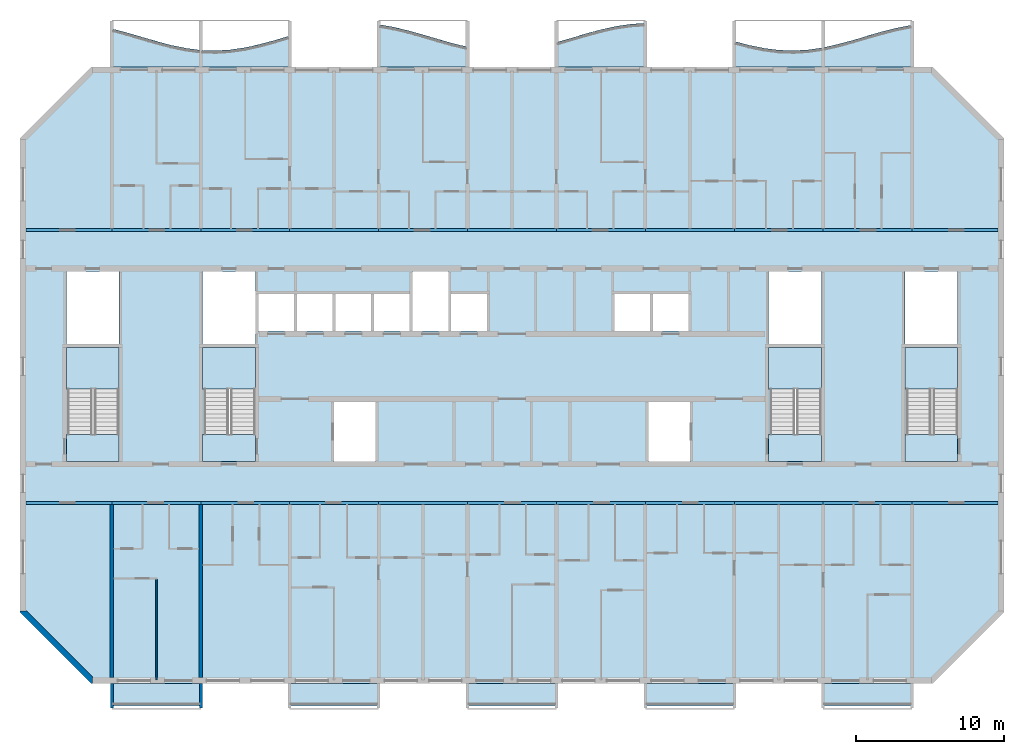
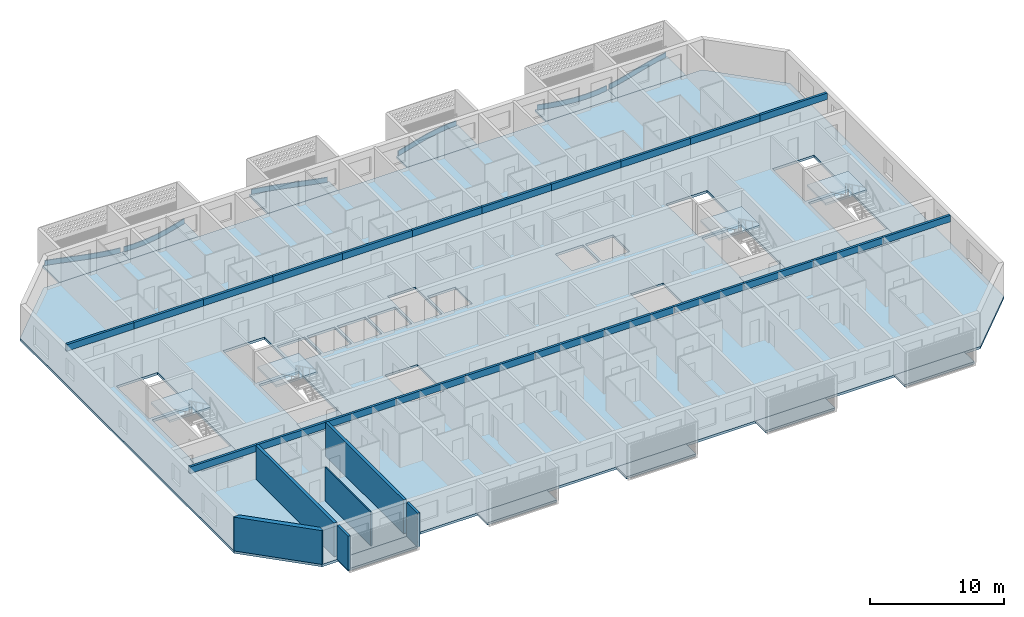
# One storey, part 1 of 27: 22 beams, 20 slabs, 6 plates, 6 walls, 4 elements without a shape of their own.
"""IFC4 building model written with IfcOpenShell, lengths in metres."""

from ifc_helpers import new_model, si_unit, direction, frame, frame_2d, origin, origin_2d, place, context, subcontext, project, spatial, polyline, rectangle, outline, extrude, source, transform, mapped, material, layer, layer_set, material_profile, profile_set, type_object, element, aggregate, save


model = new_model("IFC4")

# Units and contexts
model_context = context("Model", 3, precision=1e-05, world=origin(), true_north=direction((0.0, 1.0)))
body_context = subcontext(model_context, "Body", "Model", "MODEL_VIEW")
ifc_project = project(units=[si_unit("LENGTHUNIT", "METRE"), si_unit("AREAUNIT", "SQUARE_METRE"), si_unit("VOLUMEUNIT", "CUBIC_METRE"), si_unit("PLANEANGLEUNIT", "RADIAN"), si_unit("MASSUNIT", "GRAM", prefix="KILO")], contexts=[model_context])

# Site, building, storey
site_placement = place(None, origin())
site = spatial("IfcSite", under=ifc_project, at=site_placement, CompositionType="ELEMENT")
building_placement = place(site_placement, origin())
building = spatial("IfcBuilding", under=site, at=building_placement, Name="Poui Terraces", CompositionType="ELEMENT")
storey_placement = place(building_placement, frame((0.0, 0.0, 191.699951171875)))
storey = spatial("IfcBuildingStorey", under=building, at=storey_placement, Name="L53", CompositionType="ELEMENT", Elevation=191.699951171875)

# Beams
ifc_material_1 = material(Name="Concrete 50 MPa", Category="concrete")
ifc_material_profile = material_profile(ifc_material_1, rectangle(XDim=0.199951171875, YDim=0.60009765625, at=origin_2d()), Name="RC 200x600")
ifc_profile_set = profile_set([ifc_material_profile], Name="Concrete 50 MPa")
beam_type = type_object("IfcBeamType", Name="COUPLING BEAM 200x600 50MPa", PredefinedType="BEAM", material=ifc_profile_set)
shared_shape_1 = source(origin(), body_context, "Body", "SweptSolid", [
    extrude(rectangle(XDim=0.199951171875, YDim=0.60009765625, at=origin_2d()), origin(), (0.0, 0.0, 1.0), 5.800048828125),
])
for number, where, z_axis, x_axis, name in (
    (1, (18.199951171875, 12.0, 2.780029296875), (1.0, 0.0, 0.0), (0.0, 1.0, 0.0), "COUPLING BEAM LINE B BAY 1"),
    (2, (78.0, 12.0, 2.780029296875), (1.0, 0.0, 0.0), (0.0, 1.0, 0.0), "COUPLING BEAM LINE B BAY 11"),
    (3, (18.199951171875, 30.39990234375, 2.780029296875), (1.0, 0.0, 0.0), (0.0, 1.0, 0.0), "COUPLING BEAM LINE E BAY 1"),
    (4, (78.0, 30.39990234375, 2.780029296875), (1.0, 0.0, 0.0), (0.0, 1.0, 0.0), "COUPLING BEAM LINE E BAY 11"),
):
    element("IfcBeam", number, at=place(storey_placement, frame(where, z_axis=z_axis, x_axis=x_axis)), inside=storey, type_object=beam_type, Name=name, PredefinedType="BEAM", context=body_context, shape_type="MappedRepresentation", body=[
        mapped(shared_shape_1, transform((0.0, 0.0, 0.0))),
    ])
shared_shape_2 = source(origin(), body_context, "Body", "SweptSolid", [
    extrude(rectangle(XDim=0.199951171875, YDim=0.60009765625, at=origin_2d()), origin(), (0.0, 0.0, 1.0), 6.0),
])
for number, where, z_axis, x_axis, name in (
    (5, (24.0, 12.0, 2.780029296875), (1.0, 0.0, 0.0), (0.0, 1.0, 0.0), "COUPLING BEAM LINE B BAY 2"),
    (6, (30.0, 12.0, 2.780029296875), (1.0, 0.0, 0.0), (0.0, 1.0, 0.0), "COUPLING BEAM LINE B BAY 3"),
    (7, (36.0, 12.0, 2.780029296875), (1.0, 0.0, 0.0), (0.0, 1.0, 0.0), "COUPLING BEAM LINE B BAY 4"),
    (8, (42.0, 12.0, 2.780029296875), (1.0, 0.0, 0.0), (0.0, 1.0, 0.0), "COUPLING BEAM LINE B BAY 5"),
    (9, (48.0, 12.0, 2.780029296875), (1.0, 0.0, 0.0), (0.0, 1.0, 0.0), "COUPLING BEAM LINE B BAY 6"),
    (10, (54.0, 12.0, 2.780029296875), (1.0, 0.0, 0.0), (0.0, 1.0, 0.0), "COUPLING BEAM LINE B BAY 7"),
    (11, (60.0, 12.0, 2.780029296875), (1.0, 0.0, 0.0), (0.0, 1.0, 0.0), "COUPLING BEAM LINE B BAY 8"),
    (12, (66.0, 12.0, 2.780029296875), (1.0, 0.0, 0.0), (0.0, 1.0, 0.0), "COUPLING BEAM LINE B BAY 9"),
    (13, (72.0, 12.0, 2.780029296875), (1.0, 0.0, 0.0), (0.0, 1.0, 0.0), "COUPLING BEAM LINE B BAY 10"),
    (14, (24.0, 30.39990234375, 2.780029296875), (1.0, 0.0, 0.0), (0.0, 1.0, 0.0), "COUPLING BEAM LINE E BAY 2"),
    (15, (30.0, 30.39990234375, 2.780029296875), (1.0, 0.0, 0.0), (0.0, 1.0, 0.0), "COUPLING BEAM LINE E BAY 3"),
    (16, (36.0, 30.39990234375, 2.780029296875), (1.0, 0.0, 0.0), (0.0, 1.0, 0.0), "COUPLING BEAM LINE E BAY 4"),
    (17, (42.0, 30.39990234375, 2.780029296875), (1.0, 0.0, 0.0), (0.0, 1.0, 0.0), "COUPLING BEAM LINE E BAY 5"),
    (18, (48.0, 30.39990234375, 2.780029296875), (1.0, 0.0, 0.0), (0.0, 1.0, 0.0), "COUPLING BEAM LINE E BAY 6"),
    (19, (54.0, 30.39990234375, 2.780029296875), (1.0, 0.0, 0.0), (0.0, 1.0, 0.0), "COUPLING BEAM LINE E BAY 7"),
    (20, (60.0, 30.39990234375, 2.780029296875), (1.0, 0.0, 0.0), (0.0, 1.0, 0.0), "COUPLING BEAM LINE E BAY 8"),
    (21, (66.0, 30.39990234375, 2.780029296875), (1.0, 0.0, 0.0), (0.0, 1.0, 0.0), "COUPLING BEAM LINE E BAY 9"),
    (22, (72.0, 30.39990234375, 2.780029296875), (1.0, 0.0, 0.0), (0.0, 1.0, 0.0), "COUPLING BEAM LINE E BAY 10"),
):
    element("IfcBeam", number, at=place(storey_placement, frame(where, z_axis=z_axis, x_axis=x_axis)), inside=storey, type_object=beam_type, Name=name, PredefinedType="BEAM", context=body_context, shape_type="MappedRepresentation", body=[
        mapped(shared_shape_2, transform((0.0, 0.0, 0.0))),
    ])

# Slabs
ifc_material_2 = material(Name="Precast concrete 40 MPa", Category="concrete")
ifc_layer_1 = layer(ifc_material_2, 0.199951171875)
ifc_layer_set_1 = layer_set([ifc_layer_1], Name="Precast concrete 40 MPa")
slab_type_1 = type_object("IfcSlabType", Name="BALCONY SLAB 200", PredefinedType="FLOOR", material=ifc_layer_set_1)
slab_1_placement = place(storey_placement, frame((0.0, 0.0, -0.199951171875)))
element("IfcSlab", 23, at=slab_1_placement, inside=storey, type_object=slab_type_1, Name="BALCONY SLAB", PredefinedType="FLOOR", context=body_context, shape_type="SweptSolid", body=[
    extrude(outline(polyline([(24.0, 41.39990234375), (30.0, 41.39990234375), (30.0, 42.53662109375), (29.0, 42.663818359375), (28.0, 42.869384765625), (27.0, 43.132080078125), (26.0, 43.425048828125), (25.0, 43.718017578125), (24.0, 43.980712890625), (24.0, 41.39990234375)])), origin(), (0.0, 0.0, 1.0), 0.199951171875),
])
slab_2_placement = place(storey_placement, frame((0.0, 0.0, -0.199951171875)))
element("IfcSlab", 24, at=slab_2_placement, inside=storey, type_object=slab_type_1, Name="BALCONY SLAB", PredefinedType="FLOOR", context=body_context, shape_type="SweptSolid", body=[
    extrude(outline(polyline([(30.0, 41.39990234375), (36.0, 41.39990234375), (36.0, 43.49951171875), (35.0, 43.20361328125), (34.0, 42.9306640625), (33.0, 42.70849609375), (32.0, 42.56005859375), (31.0, 42.500732421875), (30.0, 42.53662109375), (30.0, 41.39990234375)])), origin(), (0.0, 0.0, 1.0), 0.199951171875),
])
slab_3_placement = place(storey_placement, frame((0.0, 0.0, -0.199951171875)))
element("IfcSlab", 25, at=slab_3_placement, inside=storey, type_object=slab_type_1, Name="BALCONY SLAB", PredefinedType="FLOOR", context=body_context, shape_type="SweptSolid", body=[
    extrude(outline(polyline([(42.0, 41.39990234375), (48.0, 41.39990234375), (48.0, 42.7578125), (47.0, 42.9951171875), (46.0, 43.276611328125), (45.0, 43.573486328125), (44.0, 43.85498046875), (43.0, 44.092041015625), (42.0, 44.2607421875), (42.0, 41.39990234375)])), origin(), (0.0, 0.0, 1.0), 0.199951171875),
])
slab_4_placement = place(storey_placement, frame((0.0, 0.0, -0.199951171875)))
element("IfcSlab", 26, at=slab_4_placement, inside=storey, type_object=slab_type_1, Name="BALCONY SLAB", PredefinedType="FLOOR", context=body_context, shape_type="SweptSolid", body=[
    extrude(outline(polyline([(54.0, 41.39990234375), (60.0, 41.39990234375), (60.0, 44.34912109375), (59.0, 44.289794921875), (58.0, 44.1416015625), (57.0, 43.91943359375), (56.0, 43.646484375), (55.0, 43.3505859375), (54.0, 43.0625), (54.0, 41.39990234375)])), origin(), (0.0, 0.0, 1.0), 0.199951171875),
])
slab_5_placement = place(storey_placement, frame((0.0, 0.0, -0.199951171875)))
element("IfcSlab", 27, at=slab_5_placement, inside=storey, type_object=slab_type_1, Name="BALCONY SLAB", PredefinedType="FLOOR", context=body_context, shape_type="SweptSolid", body=[
    extrude(outline(polyline([(66.0, 41.39990234375), (72.0, 41.39990234375), (72.0, 42.70849609375), (71.0, 42.56005859375), (70.0, 42.500732421875), (69.0, 42.53662109375), (68.0, 42.663818359375), (67.0, 42.869384765625), (66.0, 43.132080078125), (66.0, 41.39990234375)])), origin(), (0.0, 0.0, 1.0), 0.199951171875),
])
slab_6_placement = place(storey_placement, frame((0.0, 0.0, -0.199951171875)))
element("IfcSlab", 28, at=slab_6_placement, inside=storey, type_object=slab_type_1, Name="BALCONY SLAB", PredefinedType="FLOOR", context=body_context, shape_type="SweptSolid", body=[
    extrude(outline(polyline([(72.0, 41.39990234375), (78.0, 41.39990234375), (78.0, 44.22607421875), (77.0, 44.038330078125), (76.0, 43.78759765625), (75.0, 43.49951171875), (74.0, 43.20361328125), (73.0, 42.9306640625), (72.0, 42.70849609375), (72.0, 41.39990234375)])), origin(), (0.0, 0.0, 1.0), 0.199951171875),
])

# Stair, slabs
stair_type = type_object("IfcStairType", Name="EXIT STAIR 1650 50 MPA", PredefinedType="HALF_TURN_STAIR", material=ifc_material_1)
stair_1_placement = place(storey_placement, origin())
stair_1 = element("IfcStair", 29, at=stair_1_placement, inside=storey, type_object=stair_type, Name="L53 CORE STAIR EAST", PredefinedType="HALF_TURN_STAIR")
ifc_layer_2 = layer(ifc_material_1, 0.199951171875)
ifc_layer_set_2 = layer_set([ifc_layer_2], Name="Concrete 50 MPa")
slab_type_2 = type_object("IfcSlabType", Name="STAIR LANDING 200 50 MPA", PredefinedType="LANDING", material=ifc_layer_set_2)
slab_7_placement = place(storey_placement, frame((0.0, 0.0, 1.449951171875)))
slab_7 = element("IfcSlab", 30, at=slab_7_placement, type_object=slab_type_2, Name="ST-CE landing 1", PredefinedType="LANDING", context=body_context, shape_type="SweptSolid", body=[
    extrude(outline(polyline([(68.324951171875, 19.679931640625), (71.875, 19.679931640625), (71.875, 22.47509765625), (68.324951171875, 22.47509765625), (68.324951171875, 19.679931640625)])), origin(), (0.0, 0.0, 1.0), 0.2001953125),
])
slab_8_placement = place(storey_placement, frame((0.0, 0.0, -0.199951171875)))
slab_8 = element("IfcSlab", 31, at=slab_8_placement, type_object=slab_type_2, Name="ST-CE landing 2", PredefinedType="LANDING", context=body_context, shape_type="SweptSolid", body=[
    extrude(outline(polyline([(68.324951171875, 14.800048828125), (71.875, 14.800048828125), (71.875, 16.60009765625), (68.324951171875, 16.60009765625), (68.324951171875, 14.800048828125)])), origin(), (0.0, 0.0, 1.0), 0.199951171875),
])
aggregate(stair_1, [slab_7, slab_8])

stair_2_placement = place(storey_placement, origin())
stair_2 = element("IfcStair", 32, at=stair_2_placement, inside=storey, type_object=stair_type, Name="L53 CORE STAIR WEST", PredefinedType="HALF_TURN_STAIR")
slab_9_placement = place(storey_placement, frame((0.0, 0.0, 1.449951171875)))
slab_9 = element("IfcSlab", 33, at=slab_9_placement, type_object=slab_type_2, Name="ST-CW landing 1", PredefinedType="LANDING", context=body_context, shape_type="SweptSolid", body=[
    extrude(outline(polyline([(30.125, 19.679931640625), (33.675048828125, 19.679931640625), (33.675048828125, 22.47509765625), (30.125, 22.47509765625), (30.125, 19.679931640625)])), origin(), (0.0, 0.0, 1.0), 0.2001953125),
])
slab_10_placement = place(storey_placement, frame((0.0, 0.0, -0.199951171875)))
slab_10 = element("IfcSlab", 34, at=slab_10_placement, type_object=slab_type_2, Name="ST-CW landing 2", PredefinedType="LANDING", context=body_context, shape_type="SweptSolid", body=[
    extrude(outline(polyline([(30.125, 14.800048828125), (33.675048828125, 14.800048828125), (33.675048828125, 16.60009765625), (30.125, 16.60009765625), (30.125, 14.800048828125)])), origin(), (0.0, 0.0, 1.0), 0.199951171875),
])
aggregate(stair_2, [slab_9, slab_10])

stair_3_placement = place(storey_placement, origin())
stair_3 = element("IfcStair", 35, at=stair_3_placement, inside=storey, type_object=stair_type, Name="L53 TIP STAIR EAST", PredefinedType="HALF_TURN_STAIR")
slab_11_placement = place(storey_placement, frame((0.0, 0.0, 1.449951171875)))
slab_11 = element("IfcSlab", 36, at=slab_11_placement, type_object=slab_type_2, Name="ST-E landing 1", PredefinedType="LANDING", context=body_context, shape_type="SweptSolid", body=[
    extrude(outline(polyline([(77.52490234375, 19.679931640625), (81.074951171875, 19.679931640625), (81.074951171875, 22.47509765625), (77.52490234375, 22.47509765625), (77.52490234375, 19.679931640625)])), origin(), (0.0, 0.0, 1.0), 0.2001953125),
])
slab_12_placement = place(storey_placement, frame((0.0, 0.0, -0.199951171875)))
slab_12 = element("IfcSlab", 37, at=slab_12_placement, type_object=slab_type_2, Name="ST-E landing 2", PredefinedType="LANDING", context=body_context, shape_type="SweptSolid", body=[
    extrude(outline(polyline([(77.52490234375, 14.800048828125), (81.074951171875, 14.800048828125), (81.074951171875, 16.60009765625), (77.52490234375, 16.60009765625), (77.52490234375, 14.800048828125)])), origin(), (0.0, 0.0, 1.0), 0.199951171875),
])
aggregate(stair_3, [slab_11, slab_12])

stair_4_placement = place(storey_placement, origin())
stair_4 = element("IfcStair", 38, at=stair_4_placement, inside=storey, type_object=stair_type, Name="L53 TIP STAIR WEST", PredefinedType="HALF_TURN_STAIR")
slab_13_placement = place(storey_placement, frame((0.0, 0.0, 1.449951171875)))
slab_13 = element("IfcSlab", 39, at=slab_13_placement, type_object=slab_type_2, Name="ST-W landing 1", PredefinedType="LANDING", context=body_context, shape_type="SweptSolid", body=[
    extrude(outline(polyline([(20.925048828125, 19.679931640625), (24.47509765625, 19.679931640625), (24.47509765625, 22.47509765625), (20.925048828125, 22.47509765625), (20.925048828125, 19.679931640625)])), origin(), (0.0, 0.0, 1.0), 0.2001953125),
])
slab_14_placement = place(storey_placement, frame((0.0, 0.0, -0.199951171875)))
slab_14 = element("IfcSlab", 40, at=slab_14_placement, type_object=slab_type_2, Name="ST-W landing 2", PredefinedType="LANDING", context=body_context, shape_type="SweptSolid", body=[
    extrude(outline(polyline([(20.925048828125, 14.800048828125), (24.47509765625, 14.800048828125), (24.47509765625, 16.60009765625), (20.925048828125, 16.60009765625), (20.925048828125, 14.800048828125)])), origin(), (0.0, 0.0, 1.0), 0.199951171875),
])
aggregate(stair_4, [slab_13, slab_14])

# Plates
ifc_layer_3 = layer(ifc_material_2, 0.080078125)
ifc_layer_set_3 = layer_set([ifc_layer_3], Name="Precast concrete 40 MPa")
plate_type = type_object("IfcPlateType", Name="SUNSHADE UPSTAND 80", PredefinedType="SHEET", material=ifc_layer_set_3)
plate_1_placement = place(storey_placement, origin())
element("IfcPlate", 41, at=plate_1_placement, inside=storey, type_object=plate_type, Name="SUNSHADE UPSTAND", PredefinedType="SHEET", context=body_context, shape_type="SweptSolid", body=[
    extrude(outline(polyline([(25.0107421875, 43.71142578125), (24.13525390625, 43.944091796875), (24.11474609375, 43.86669921875), (24.9892578125, 43.634521484375), (25.98876953125, 43.341552734375), (26.9892578125, 43.048583984375), (27.990966796875, 42.785400390625), (28.993408203125, 42.579345703125), (29.86962890625, 42.462890625), (29.88037109375, 42.542236328125), (29.006591796875, 42.658203125), (28.009033203125, 42.86328125), (27.0107421875, 43.12548828125), (26.01123046875, 43.41845703125), (25.0107421875, 43.71142578125)])), origin(), (0.0, 0.0, 1.0), 0.449951171875),
])
plate_2_placement = place(storey_placement, origin())
element("IfcPlate", 42, at=plate_2_placement, inside=storey, type_object=plate_type, Name="SUNSHADE UPSTAND", PredefinedType="SHEET", context=body_context, shape_type="SweptSolid", body=[
    extrude(outline(polyline([(30.99951171875, 42.495849609375), (30.126220703125, 42.52197265625), (30.123779296875, 42.44189453125), (31.00048828125, 42.415771484375), (32.004150390625, 42.475341796875), (33.00732421875, 42.6240234375), (34.009521484375, 42.8466796875), (35.010986328125, 43.1201171875), (35.88623046875, 43.37890625), (35.86376953125, 43.45556640625), (34.989013671875, 43.197021484375), (33.990478515625, 42.924560546875), (32.99267578125, 42.702880859375), (31.995849609375, 42.554931640625), (30.99951171875, 42.495849609375)])), origin(), (0.0, 0.0, 1.0), 0.449951171875),
])
plate_3_placement = place(storey_placement, origin())
element("IfcPlate", 43, at=plate_3_placement, inside=storey, type_object=plate_type, Name="SUNSHADE UPSTAND", PredefinedType="SHEET", context=body_context, shape_type="SweptSolid", body=[
    extrude(outline(polyline([(43.008056640625, 44.086181640625), (42.1318359375, 44.238525390625), (42.1181640625, 44.15966796875), (42.991943359375, 44.0078125), (43.989990234375, 43.77099609375), (44.989013671875, 43.489990234375), (45.989013671875, 43.193115234375), (46.989990234375, 42.911376953125), (47.865478515625, 42.7001953125), (47.884521484375, 42.778076171875), (47.010009765625, 42.98876953125), (46.010986328125, 43.27001953125), (45.010986328125, 43.56689453125), (44.010009765625, 43.8486328125), (43.008056640625, 44.086181640625)])), origin(), (0.0, 0.0, 1.0), 0.449951171875),
])
plate_4_placement = place(storey_placement, origin())
element("IfcPlate", 44, at=plate_4_placement, inside=storey, type_object=plate_type, Name="SUNSHADE UPSTAND", PredefinedType="SHEET", context=body_context, shape_type="SweptSolid", body=[
    extrude(outline(polyline([(54.98876953125, 43.343994140625), (54.114013671875, 43.09033203125), (54.135986328125, 43.013671875), (55.01123046875, 43.26708984375), (56.010986328125, 43.56298828125), (57.009521484375, 43.83544921875), (58.00732421875, 44.05712890625), (59.004150390625, 44.205078125), (59.877685546875, 44.26220703125), (59.872314453125, 44.341796875), (59.831787109375, 44.33935546875), (58.995849609375, 44.28466796875), (57.99267578125, 44.135986328125), (56.990478515625, 43.9130859375), (55.989013671875, 43.639892578125), (54.98876953125, 43.343994140625)])), origin(), (0.0, 0.0, 1.0), 0.449951171875),
])
plate_5_placement = place(storey_placement, origin())
element("IfcPlate", 45, at=plate_5_placement, inside=storey, type_object=plate_type, Name="SUNSHADE UPSTAND", PredefinedType="SHEET", context=body_context, shape_type="SweptSolid", body=[
    extrude(outline(polyline([(67.009033203125, 42.86328125), (66.135009765625, 43.0908203125), (66.114990234375, 43.01318359375), (66.990966796875, 42.785400390625), (67.993408203125, 42.579345703125), (68.996826171875, 42.45166015625), (70.00048828125, 42.415771484375), (71.00390625, 42.475341796875), (71.880615234375, 42.600830078125), (71.869384765625, 42.68017578125), (70.99609375, 42.554931640625), (69.99951171875, 42.495849609375), (69.003173828125, 42.531494140625), (68.006591796875, 42.658203125), (67.009033203125, 42.86328125)])), origin(), (0.0, 0.0, 1.0), 0.449951171875),
])
plate_6_placement = place(storey_placement, origin())
element("IfcPlate", 46, at=plate_6_placement, inside=storey, type_object=plate_type, Name="SUNSHADE UPSTAND", PredefinedType="SHEET", context=body_context, shape_type="SweptSolid", body=[
    extrude(outline(polyline([(72.990234375, 42.92431640625), (72.1162109375, 42.7265625), (72.1337890625, 42.648681640625), (73.009765625, 42.8466796875), (74.010986328125, 43.1201171875), (75.01123046875, 43.416015625), (76.010498046875, 43.703857421875), (77.0087890625, 43.954345703125), (77.882568359375, 44.12255859375), (77.867431640625, 44.201171875), (76.9912109375, 44.032470703125), (75.989501953125, 43.78125), (74.98876953125, 43.492919921875), (73.989013671875, 43.197021484375), (72.990234375, 42.92431640625)])), origin(), (0.0, 0.0, 1.0), 0.449951171875),
])

# Slabs
ifc_material_3 = material(Name="Concrete 40 MPa", Category="concrete")
ifc_layer_4 = layer(ifc_material_3, 0.219970703125)
ifc_layer_set_4 = layer_set([ifc_layer_4], Name="Concrete 40 MPa")
slab_type_3 = type_object("IfcSlabType", Name="FLOOR SLAB 220", PredefinedType="FLOOR", material=ifc_layer_set_4)
shared_shape_3 = source(origin(), body_context, "Body", "SweptSolid", [
    extrude(outline(polyline([(0.0, 0.0), (4.800048828125, -4.800048828125), (61.599853515625, -4.800048828125), (66.39990234375, 0.0), (66.39990234375, 32.0), (61.599853515625, 36.7998046875), (4.800048828125, 36.7998046875), (0.0, 32.0), (0.0, 0.0)]), holes=[polyline([(21.199951171875, 10.199951171875), (21.199951171875, 14.199951171875), (24.0, 14.199951171875), (24.0, 10.199951171875), (21.199951171875, 10.199951171875)]), polyline([(3.224853515625, 17.849853515625), (6.675048828125, 17.849853515625), (6.675048828125, 12.0), (6.675048828125, 10.199951171875), (3.125, 10.199951171875), (3.125, 12.0), (3.224853515625, 12.0), (3.224853515625, 17.849853515625)]), polyline([(12.425048828125, 17.849853515625), (15.875, 17.849853515625), (15.875, 12.0), (15.875, 10.199951171875), (12.324951171875, 10.199951171875), (12.324951171875, 12.0), (12.425048828125, 12.0), (12.425048828125, 17.849853515625)]), polyline([(16.099853515625, 19.0), (16.099853515625, 21.5), (18.5, 21.5), (18.5, 19.0), (16.099853515625, 19.0)]), polyline([(18.699951171875, 19.0), (18.699951171875, 21.5), (21.099853515625, 21.5), (21.099853515625, 19.0), (18.699951171875, 19.0)]), polyline([(21.300048828125, 19.0), (21.300048828125, 21.5), (23.699951171875, 21.5), (23.699951171875, 19.0), (21.300048828125, 19.0)]), polyline([(23.89990234375, 19.0), (23.89990234375, 21.5), (26.300048828125, 21.5), (26.300048828125, 19.0), (23.89990234375, 19.0)]), polyline([(3.125, 23.0), (6.675048828125, 23.0), (6.675048828125, 18.125), (3.125, 18.125), (3.125, 23.0)]), polyline([(12.324951171875, 23.0), (15.875, 23.0), (15.875, 18.125), (12.324951171875, 18.125), (12.324951171875, 23.0)]), polyline([(42.39990234375, 10.199951171875), (42.39990234375, 14.199951171875), (45.199951171875, 14.199951171875), (45.199951171875, 10.199951171875), (42.39990234375, 10.199951171875)]), polyline([(50.625, 17.849853515625), (54.074951171875, 17.849853515625), (54.074951171875, 12.0), (54.074951171875, 10.199951171875), (50.52490234375, 10.199951171875), (50.52490234375, 12.0), (50.625, 12.0), (50.625, 17.849853515625)]), polyline([(59.824951171875, 17.849853515625), (63.27490234375, 17.849853515625), (63.27490234375, 12.0), (63.27490234375, 10.199951171875), (59.724853515625, 10.199951171875), (59.724853515625, 12.0), (59.824951171875, 12.0), (59.824951171875, 17.849853515625)]), polyline([(29.099853515625, 19.0), (29.099853515625, 21.5), (31.5, 21.5), (31.5, 19.0), (29.099853515625, 19.0)]), polyline([(40.099853515625, 19.0), (40.099853515625, 21.5), (42.5, 21.5), (42.5, 19.0), (40.099853515625, 19.0)]), polyline([(42.699951171875, 19.0), (42.699951171875, 21.5), (45.099853515625, 21.5), (45.099853515625, 19.0), (42.699951171875, 19.0)]), polyline([(50.52490234375, 18.125), (50.52490234375, 23.0), (54.074951171875, 23.0), (54.074951171875, 18.125), (50.52490234375, 18.125)]), polyline([(59.724853515625, 23.0), (63.27490234375, 23.0), (63.27490234375, 18.125), (59.724853515625, 18.125), (59.724853515625, 23.0)]), polyline([(26.5, 23.0), (28.89990234375, 23.0), (28.89990234375, 19.0), (26.5, 19.0), (26.5, 23.0)])]), origin(), (0.0, 0.0, 1.0), 0.219970703125),
])
slab_15_placement = place(storey_placement, frame((17.800048828125, 4.60009765625, -0.219970703125)))
element("IfcSlab", 47, at=slab_15_placement, inside=storey, type_object=slab_type_3, Name="FLOOR SLAB", PredefinedType="FLOOR", context=body_context, shape_type="MappedRepresentation", body=[
    mapped(shared_shape_3, transform((0.0, 0.0, 0.0))),
])
ifc_layer_5 = layer(ifc_material_2, 0.199951171875)
ifc_layer_set_5 = layer_set([ifc_layer_5], Name="Precast concrete 40 MPa")
slab_type_4 = type_object("IfcSlabType", Name="REAR BALCONY SLAB 200", PredefinedType="FLOOR", material=ifc_layer_set_5)
shared_shape_4 = source(origin(), body_context, "Body", "SweptSolid", [
    extrude(outline(polyline([(0.0, 0.0), (6.0, 0.0), (6.0, 1.5), (0.0, 1.5), (0.0, 0.0)])), origin(), (0.0, 0.0, 1.0), 0.199951171875),
])
for number, where, name in (
    (48, (24.0, -1.699951171875, -0.199951171875), "REAR BALCONY SLAB"),
    (49, (36.0, -1.699951171875, -0.199951171875), "REAR BALCONY SLAB"),
    (50, (48.0, -1.699951171875, -0.199951171875), "REAR BALCONY SLAB"),
    (51, (60.0, -1.699951171875, -0.199951171875), "REAR BALCONY SLAB"),
    (52, (72.0, -1.699951171875, -0.199951171875), "REAR BALCONY SLAB"),
):
    element("IfcSlab", number, at=place(storey_placement, frame(where)), inside=storey, type_object=slab_type_4, Name=name, PredefinedType="FLOOR", context=body_context, shape_type="MappedRepresentation", body=[
        mapped(shared_shape_4, transform((0.0, 0.0, 0.0))),
    ])

# Walls
ifc_layer_6 = layer(ifc_material_1, 0.25)
ifc_layer_set_6 = layer_set([ifc_layer_6], Name="Concrete 50 MPa")
wall_type_1 = type_object("IfcWallType", Name="CROSS WALL 250 50MPa", PredefinedType="SHEAR", material=ifc_layer_set_6)
for number, where, z_axis, x_axis, name in (
    (53, (24.0, 0.199951171875, 0.0), (0.0, 0.0, 1.0), (0.0, 1.0, 0.0), "CROSS WALL LINE 5 SOUTH"),
    (54, (30.0, 0.199951171875, 0.0), (0.0, 0.0, 1.0), (0.0, 1.0, 0.0), "CROSS WALL LINE 6 SOUTH"),
):
    element("IfcWall", number, at=place(storey_placement, frame(where, z_axis=z_axis, x_axis=x_axis)), inside=storey, type_object=wall_type_1, Name=name, PredefinedType="SHEAR", context=body_context, shape_type="SweptSolid", body=[
        extrude(rectangle(XDim=11.699951171875, YDim=0.25, at=frame_2d((5.85009765625, 0.0))), origin(), (0.0, 0.0, 1.0), 3.080078125),
    ])
ifc_material_4 = material(Name="Plasterboard partition")
ifc_layer_7 = layer(ifc_material_4, 0.10009765625)
ifc_layer_set_7 = layer_set([ifc_layer_7], Name="Plasterboard partition")
wall_type_2 = type_object("IfcWallType", Name="FLAT PARTITION 100", PredefinedType="PARTITIONING", material=ifc_layer_set_7)
wall_1_placement = place(storey_placement, frame((27.0, 0.06005859375, 0.0), z_axis=(0.0, 0.0, 1.0), x_axis=(0.0, 1.0, 0.0)))
element("IfcWall", 55, at=wall_1_placement, inside=storey, type_object=wall_type_2, Name="FLAT PARTITION 100", PredefinedType="PARTITIONING", context=body_context, shape_type="SweptSolid", body=[
    extrude(rectangle(XDim=6.7900390625, YDim=0.10009765625, at=frame_2d((3.39501953125, 0.0))), origin(), (0.0, 0.0, 1.0), 3.080078125),
])
ifc_layer_8 = layer(ifc_material_2, 0.39990234375)
ifc_layer_set_8 = layer_set([ifc_layer_8], Name="Precast concrete 40 MPa")
wall_type_3 = type_object("IfcWallType", Name="TERRACOTTA CLAD CHAMFER WALL 400", PredefinedType="STANDARD", material=ifc_layer_set_8)
wall_2_placement = place(storey_placement, origin())
element("IfcWall", 56, at=wall_2_placement, inside=storey, type_object=wall_type_3, Name="CHAMFER WALL CH07", PredefinedType="STANDARD", context=body_context, shape_type="SweptSolid", body=[
    extrude(outline(polyline([(17.800048828125, 4.682861328125), (17.800048828125, 4.60009765625), (22.60009765625, -0.199951171875), (22.682861328125, -0.199951171875), (22.682861328125, 0.28271484375), (18.28271484375, 4.682861328125), (17.800048828125, 4.682861328125)])), origin(), (0.0, 0.0, 1.0), 3.080078125),
])
ifc_layer_9 = layer(ifc_material_2, 0.199951171875)
ifc_layer_set_9 = layer_set([ifc_layer_9], Name="Precast concrete 40 MPa")
wall_type_4 = type_object("IfcWallType", Name="REAR FIN 200", PredefinedType="STANDARD", material=ifc_layer_set_9)
shared_shape_5 = source(origin(), body_context, "Body", "SweptSolid", [
    extrude(outline(polyline([(0.0, 0.0), (0.2001953125, 0.0), (0.2001953125, 1.650146484375), (0.0, 1.650146484375), (0.0, 0.0)])), origin(), (0.0, 0.0, 1.0), 3.10009765625),
])
for number, where, name in (
    (57, (23.89990234375, -1.85009765625, 0.0), "REAR FIN"),
    (58, (29.89990234375, -1.85009765625, 0.0), "REAR FIN"),
):
    element("IfcWall", number, at=place(storey_placement, frame(where)), inside=storey, type_object=wall_type_4, Name=name, PredefinedType="STANDARD", context=body_context, shape_type="MappedRepresentation", body=[
        mapped(shared_shape_5, transform((0.0, 0.0, 0.0))),
    ])

save(model, "model.ifc")
